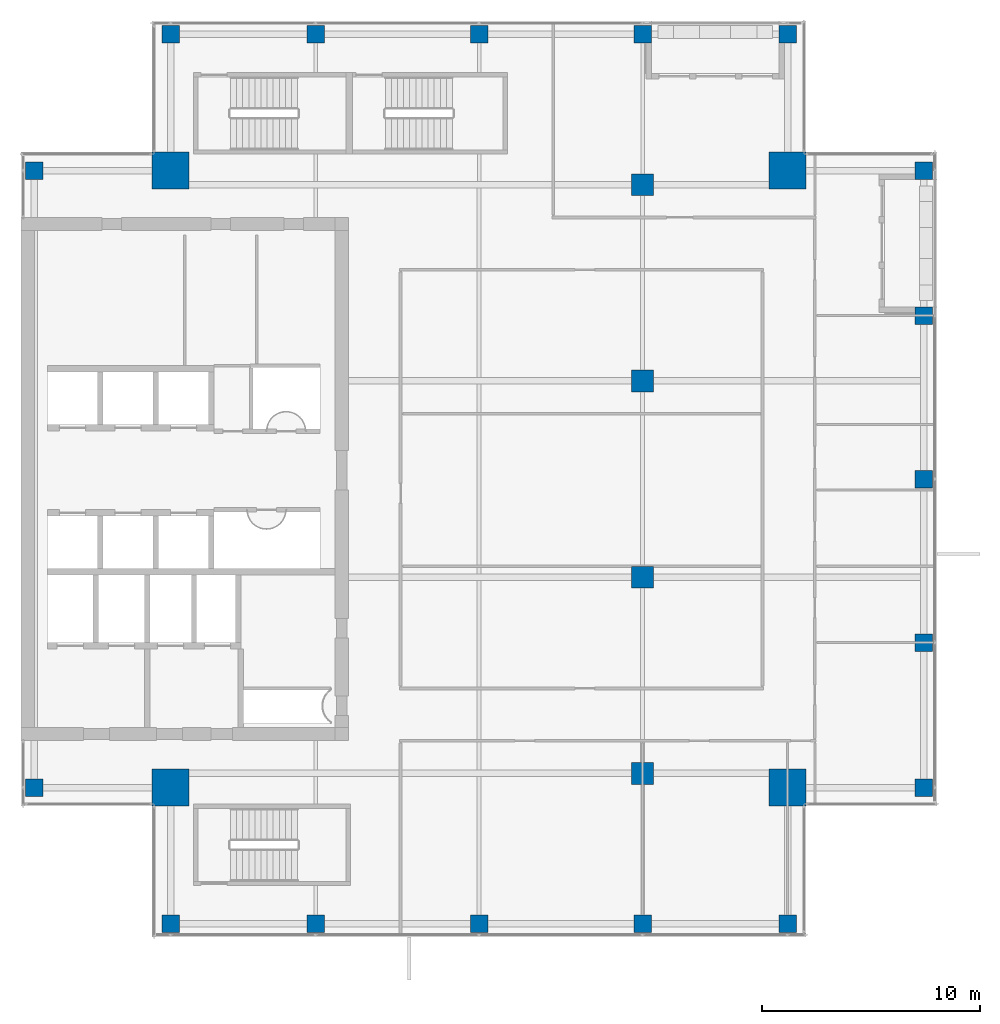
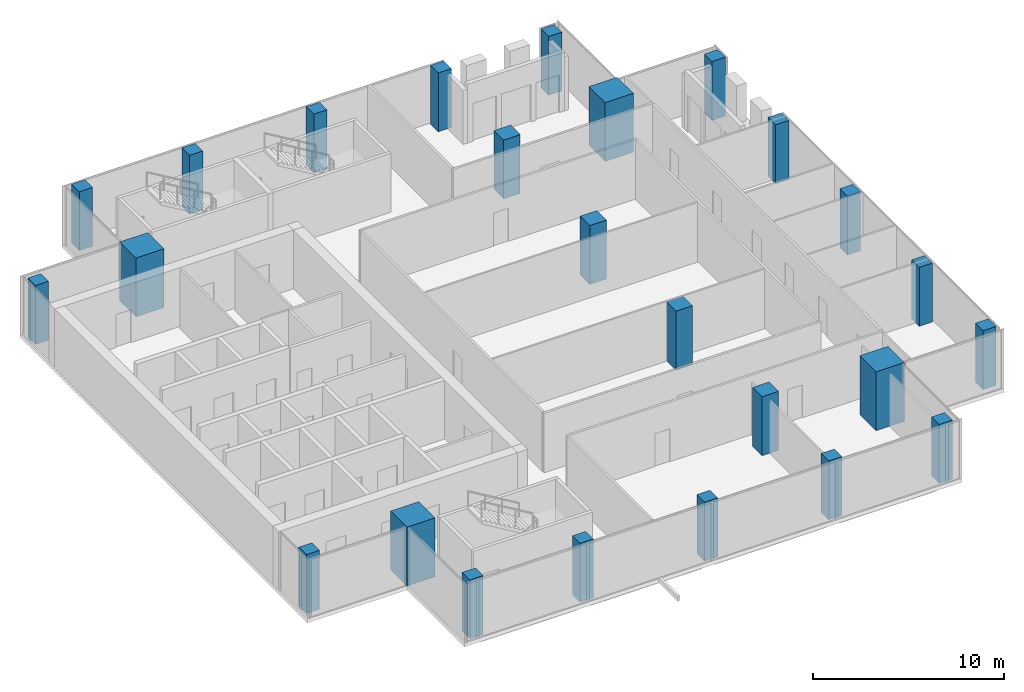
# One storey, part 1 of 28: 25 columns.
"""IFC4 building model written with IfcOpenShell, lengths in metres."""

from ifc_helpers import new_model, si_unit, direction, frame, origin, origin_2d, place, context, subcontext, project, spatial, rectangle, extrude, source, transform, mapped, material, material_profile, profile_set, type_object, element, save


model = new_model("IFC4")

# Units and contexts
model_context = context("Model", 3, precision=1e-05, world=origin(), true_north=direction((0.0, 1.0)))
body_context = subcontext(model_context, "Body", "Model", "MODEL_VIEW")
ifc_project = project(units=[si_unit("LENGTHUNIT", "METRE"), si_unit("AREAUNIT", "SQUARE_METRE"), si_unit("VOLUMEUNIT", "CUBIC_METRE"), si_unit("PLANEANGLEUNIT", "RADIAN"), si_unit("MASSUNIT", "GRAM", prefix="KILO")], contexts=[model_context])

# Site, building, storey
site_placement = place(None, origin())
site = spatial("IfcSite", under=ifc_project, at=site_placement, CompositionType="ELEMENT")
building_placement = place(site_placement, origin())
building = spatial("IfcBuilding", under=site, at=building_placement, Name="Khomas Fold Tower", CompositionType="ELEMENT")
storey_placement = place(building_placement, frame((0.0, 0.0, 302.199951171875)))
storey = spatial("IfcBuildingStorey", under=building, at=storey_placement, Name="L68", CompositionType="ELEMENT", Elevation=302.199951171875)

# Columns
ifc_material_1 = material(Name="Concrete C50/60", Category="concrete")
ifc_material_profile_1 = material_profile(ifc_material_1, rectangle(XDim=1.0, YDim=1.0, at=origin_2d()), Name="RC 1000x1000")
ifc_profile_set_1 = profile_set([ifc_material_profile_1], Name="Concrete C50/60")
column_type_1 = type_object("IfcColumnType", Name="RC 1000x1000 column", PredefinedType="COLUMN", material=ifc_profile_set_1)
shared_shape_1 = source(origin(), body_context, "Body", "SweptSolid", [
    extrude(rectangle(XDim=1.0, YDim=1.0, at=origin_2d()), origin(), (0.0, 0.0, 1.0), 3.75),
])
for number, where, z_axis, x_axis, name in (
    (1, (34.5, 13.5, 0.0), (0.0, 0.0, 1.0), (1.0, 0.0, 0.0), "C-10-H"),
    (2, (34.5, 22.5, 0.0), (0.0, 0.0, 1.0), (1.0, 0.0, 0.0), "C-10-K"),
    (3, (34.5, 31.5, 0.0), (0.0, 0.0, 1.0), (1.0, 0.0, 0.0), "C-10-M"),
    (4, (34.5, 40.5, 0.0), (0.0, 0.0, 1.0), (1.0, 0.0, 0.0), "C-10-P"),
):
    element("IfcColumn", number, at=place(storey_placement, frame(where, z_axis=z_axis, x_axis=x_axis)), inside=storey, type_object=column_type_1, Name=name, PredefinedType="COLUMN", context=body_context, shape_type="MappedRepresentation", body=[
        mapped(shared_shape_1, transform((0.0, 0.0, 0.0))),
    ])
ifc_material_2 = material(Name="Concrete C60/75", Category="concrete")
ifc_material_profile_2 = material_profile(ifc_material_2, rectangle(XDim=1.699951171875, YDim=1.699951171875, at=origin_2d()), Name="RC 1700x1700")
ifc_profile_set_2 = profile_set([ifc_material_profile_2], Name="Concrete C60/75")
column_type_2 = type_object("IfcColumnType", Name="RC 1700x1700 column", PredefinedType="COLUMN", material=ifc_profile_set_2)
shared_shape_2 = source(origin(), body_context, "Body", "SweptSolid", [
    extrude(rectangle(XDim=1.699951171875, YDim=1.699951171875, at=origin_2d()), origin(), (0.0, 0.0, 1.0), 3.75),
])
for number, where, z_axis, x_axis, name in (
    (5, (41.14990234375, 41.14990234375, 0.0), (0.0, 0.0, 1.0), (1.0, 0.0, 0.0), "CM-NE"),
    (6, (12.85009765625, 41.14990234375, 0.0), (0.0, 0.0, 1.0), (1.0, 0.0, 0.0), "CM-NW"),
    (7, (41.14990234375, 12.85009765625, 0.0), (0.0, 0.0, 1.0), (1.0, 0.0, 0.0), "CM-SE"),
    (8, (12.85009765625, 12.85009765625, 0.0), (0.0, 0.0, 1.0), (1.0, 0.0, 0.0), "CM-SW"),
):
    element("IfcColumn", number, at=place(storey_placement, frame(where, z_axis=z_axis, x_axis=x_axis)), inside=storey, type_object=column_type_2, Name=name, PredefinedType="COLUMN", context=body_context, shape_type="MappedRepresentation", body=[
        mapped(shared_shape_2, transform((0.0, 0.0, 0.0))),
    ])
ifc_material_3 = material(Name="Concrete C50/60", Category="concrete")
ifc_material_profile_3 = material_profile(ifc_material_3, rectangle(XDim=0.800048828125, YDim=0.800048828125, at=origin_2d()), Name="RC 800x800")
ifc_profile_set_3 = profile_set([ifc_material_profile_3], Name="Concrete C50/60")
column_type_3 = type_object("IfcColumnType", Name="RC 800x800 column", PredefinedType="COLUMN", material=ifc_profile_set_3)
shared_shape_3 = source(origin(), body_context, "Body", "SweptSolid", [
    extrude(rectangle(XDim=0.800048828125, YDim=0.800048828125, at=origin_2d()), origin(), (0.0, 0.0, 1.0), 3.75),
])
for number, where, z_axis, x_axis, name in (
    (9, (12.85009765625, 6.60009765625, 0.0), (0.0, 0.0, 1.0), (1.0, 0.0, 0.0), "C-7-SF5"),
    (10, (19.5, 6.60009765625, 0.0), (0.0, 0.0, 1.0), (1.0, 0.0, 0.0), "C-8-SF5"),
    (11, (27.0, 6.60009765625, 0.0), (0.0, 0.0, 1.0), (1.0, 0.0, 0.0), "C-9-SF5"),
    (12, (34.5, 6.60009765625, 0.0), (0.0, 0.0, 1.0), (1.0, 0.0, 0.0), "C-10-SF5"),
    (13, (41.14990234375, 6.60009765625, 0.0), (0.0, 0.0, 1.0), (1.0, 0.0, 0.0), "C-12-SF5"),
    (14, (47.39990234375, 12.85009765625, 0.0), (0.0, 0.0, 1.0), (1.0, 0.0, 0.0), "C-E5-G"),
    (15, (47.39990234375, 19.5, 0.0), (0.0, 0.0, 1.0), (1.0, 0.0, 0.0), "C-E5-J"),
    (16, (47.39990234375, 27.0, 0.0), (0.0, 0.0, 1.0), (1.0, 0.0, 0.0), "C-E5-L"),
    (17, (47.39990234375, 34.5, 0.0), (0.0, 0.0, 1.0), (1.0, 0.0, 0.0), "C-E5-N"),
    (18, (47.39990234375, 41.14990234375, 0.0), (0.0, 0.0, 1.0), (1.0, 0.0, 0.0), "C-E5-Q"),
    (19, (12.85009765625, 47.39990234375, 0.0), (0.0, 0.0, 1.0), (1.0, 0.0, 0.0), "C-7-NF5"),
    (20, (19.5, 47.39990234375, 0.0), (0.0, 0.0, 1.0), (1.0, 0.0, 0.0), "C-8-NF5"),
    (21, (27.0, 47.39990234375, 0.0), (0.0, 0.0, 1.0), (1.0, 0.0, 0.0), "C-9-NF5"),
    (22, (34.5, 47.39990234375, 0.0), (0.0, 0.0, 1.0), (1.0, 0.0, 0.0), "C-10-NF5"),
    (23, (41.14990234375, 47.39990234375, 0.0), (0.0, 0.0, 1.0), (1.0, 0.0, 0.0), "C-12-NF5"),
    (24, (6.60009765625, 12.85009765625, 0.0), (0.0, 0.0, 1.0), (1.0, 0.0, 0.0), "C-W5-G"),
    (25, (6.60009765625, 41.14990234375, 0.0), (0.0, 0.0, 1.0), (1.0, 0.0, 0.0), "C-W5-Q"),
):
    element("IfcColumn", number, at=place(storey_placement, frame(where, z_axis=z_axis, x_axis=x_axis)), inside=storey, type_object=column_type_3, Name=name, PredefinedType="COLUMN", context=body_context, shape_type="MappedRepresentation", body=[
        mapped(shared_shape_3, transform((0.0, 0.0, 0.0))),
    ])

save(model, "model.ifc")
